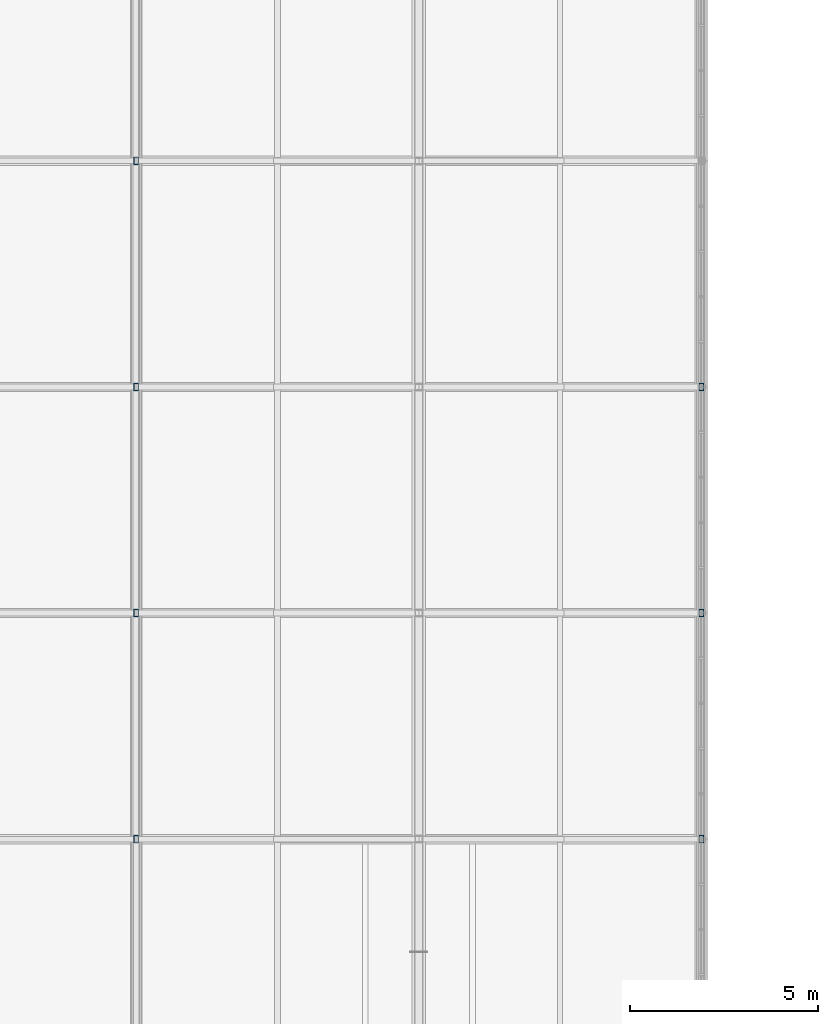
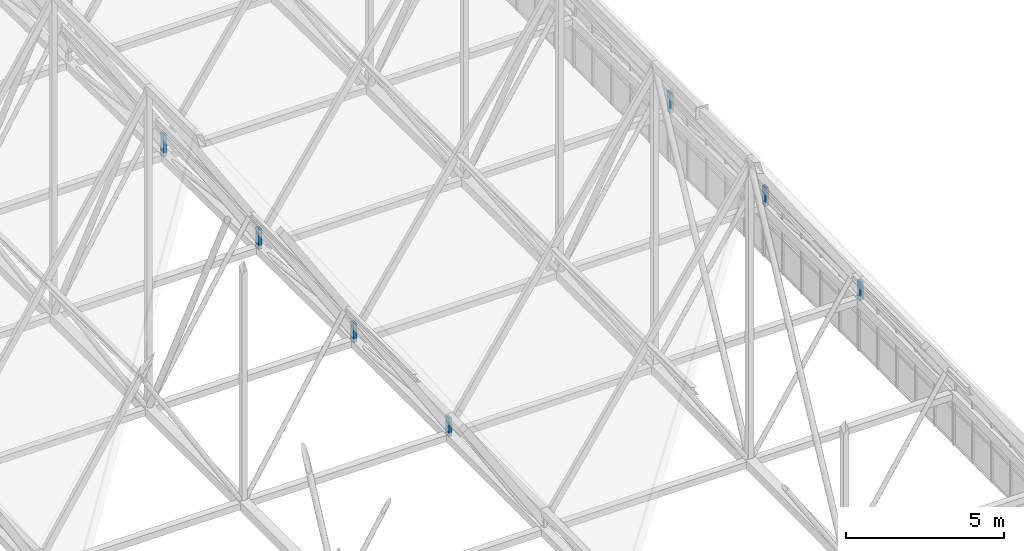
# One storey, part 263 of 324: 7 members.
"""IFC4 building model written with IfcOpenShell, lengths in metres."""

from ifc_helpers import new_model, si_unit, direction, frame, origin, origin_2d, place, context, subcontext, project, spatial, hollow_rectangle, extrude, material, material_profile, profile_set, type_object, element, save


model = new_model("IFC4")

# Units and contexts
model_context = context("Model", 3, precision=1e-05, world=origin(), true_north=direction((0.0, 1.0)))
body_context = subcontext(model_context, "Body", "Model", "MODEL_VIEW")
ifc_project = project(units=[si_unit("LENGTHUNIT", "METRE"), si_unit("AREAUNIT", "SQUARE_METRE"), si_unit("VOLUMEUNIT", "CUBIC_METRE"), si_unit("PLANEANGLEUNIT", "RADIAN"), si_unit("MASSUNIT", "GRAM", prefix="KILO")], contexts=[model_context])

# Site, building, storey
site_placement = place(None, origin())
site = spatial("IfcSite", under=ifc_project, at=site_placement, CompositionType="ELEMENT")
building_placement = place(site_placement, origin())
building = spatial("IfcBuilding", under=site, at=building_placement, Name="Solvenia Promenade Tram Depot", CompositionType="ELEMENT")
storey_placement = place(building_placement, frame((0.0, 0.0, 4.5)))
storey = spatial("IfcBuildingStorey", under=building, at=storey_placement, Name="L01", CompositionType="ELEMENT", Elevation=4.5)

# Members
ifc_material = material(Name="Structural steel ASTM A500 Gr. C", Category="steel")
ifc_material_profile = material_profile(ifc_material, hollow_rectangle(XDim=0.1201171875, YDim=0.199951171875, WallThickness=0.008056640625, at=origin_2d()), Name="HSS200x120x8", Category="steel")
ifc_profile_set = profile_set([ifc_material_profile], Name="Structural steel ASTM A500 Gr. C")
member_type = type_object("IfcMemberType", Name="Post-HSS200x120x8", PredefinedType="POST", material=ifc_profile_set)
member_1_placement = place(storey_placement, frame((135.0, 96.0, 2.669921875), z_axis=(0.0, 0.0, 1.0), x_axis=(1.0, 0.0, 0.0)))
element("IfcMember", 1, at=member_1_placement, inside=storey, type_object=member_type, Name="Arched Truss T19 Web Post S05", PredefinedType="POST", context=body_context, shape_type="SweptSolid", body=[
    extrude(hollow_rectangle(XDim=0.1201171875, YDim=0.199951171875, WallThickness=0.008056640625, at=origin_2d()), origin(), (0.0, 0.0, 1.0), 0.7099609375),
])
member_2_placement = place(storey_placement, frame((135.0, 102.0, 2.656005859375), z_axis=(0.0, 0.0, 1.0), x_axis=(1.0, 0.0, 0.0)))
element("IfcMember", 2, at=member_2_placement, inside=storey, type_object=member_type, Name="Arched Truss T19 Web Post S06", PredefinedType="POST", context=body_context, shape_type="SweptSolid", body=[
    extrude(hollow_rectangle(XDim=0.1201171875, YDim=0.199951171875, WallThickness=0.008056640625, at=origin_2d()), origin(), (0.0, 0.0, 1.0), 0.723876953125),
])
member_3_placement = place(storey_placement, frame((135.0, 108.0, 2.614013671875), z_axis=(0.0, 0.0, 1.0), x_axis=(1.0, 0.0, 0.0)))
element("IfcMember", 3, at=member_3_placement, inside=storey, type_object=member_type, Name="Arched Truss T19 Web Post S07", PredefinedType="POST", context=body_context, shape_type="SweptSolid", body=[
    extrude(hollow_rectangle(XDim=0.1201171875, YDim=0.199951171875, WallThickness=0.008056640625, at=origin_2d()), origin(), (0.0, 0.0, 1.0), 0.765869140625),
])
member_4_placement = place(storey_placement, frame((135.0, 114.0, 2.5439453125), z_axis=(0.0, 0.0, 1.0), x_axis=(1.0, 0.0, 0.0)))
element("IfcMember", 4, at=member_4_placement, inside=storey, type_object=member_type, Name="Arched Truss T19 Web Post S08", PredefinedType="POST", context=body_context, shape_type="SweptSolid", body=[
    extrude(hollow_rectangle(XDim=0.1201171875, YDim=0.199951171875, WallThickness=0.008056640625, at=origin_2d()), origin(), (0.0, 0.0, 1.0), 0.8359375),
])
member_5_placement = place(storey_placement, frame((150.0, 96.0, 2.669921875), z_axis=(0.0, 0.0, 1.0), x_axis=(1.0, 0.0, 0.0)))
element("IfcMember", 5, at=member_5_placement, inside=storey, type_object=member_type, Name="Arched Truss T21 Web Post S05", PredefinedType="POST", context=body_context, shape_type="SweptSolid", body=[
    extrude(hollow_rectangle(XDim=0.1201171875, YDim=0.199951171875, WallThickness=0.008056640625, at=origin_2d()), origin(), (0.0, 0.0, 1.0), 0.7099609375),
])
member_6_placement = place(storey_placement, frame((150.0, 102.0, 2.656005859375), z_axis=(0.0, 0.0, 1.0), x_axis=(1.0, 0.0, 0.0)))
element("IfcMember", 6, at=member_6_placement, inside=storey, type_object=member_type, Name="Arched Truss T21 Web Post S06", PredefinedType="POST", context=body_context, shape_type="SweptSolid", body=[
    extrude(hollow_rectangle(XDim=0.1201171875, YDim=0.199951171875, WallThickness=0.008056640625, at=origin_2d()), origin(), (0.0, 0.0, 1.0), 0.723876953125),
])
member_7_placement = place(storey_placement, frame((150.0, 108.0, 2.614013671875), z_axis=(0.0, 0.0, 1.0), x_axis=(1.0, 0.0, 0.0)))
element("IfcMember", 7, at=member_7_placement, inside=storey, type_object=member_type, Name="Arched Truss T21 Web Post S07", PredefinedType="POST", context=body_context, shape_type="SweptSolid", body=[
    extrude(hollow_rectangle(XDim=0.1201171875, YDim=0.199951171875, WallThickness=0.008056640625, at=origin_2d()), origin(), (0.0, 0.0, 1.0), 0.765869140625),
])

save(model, "model.ifc")
